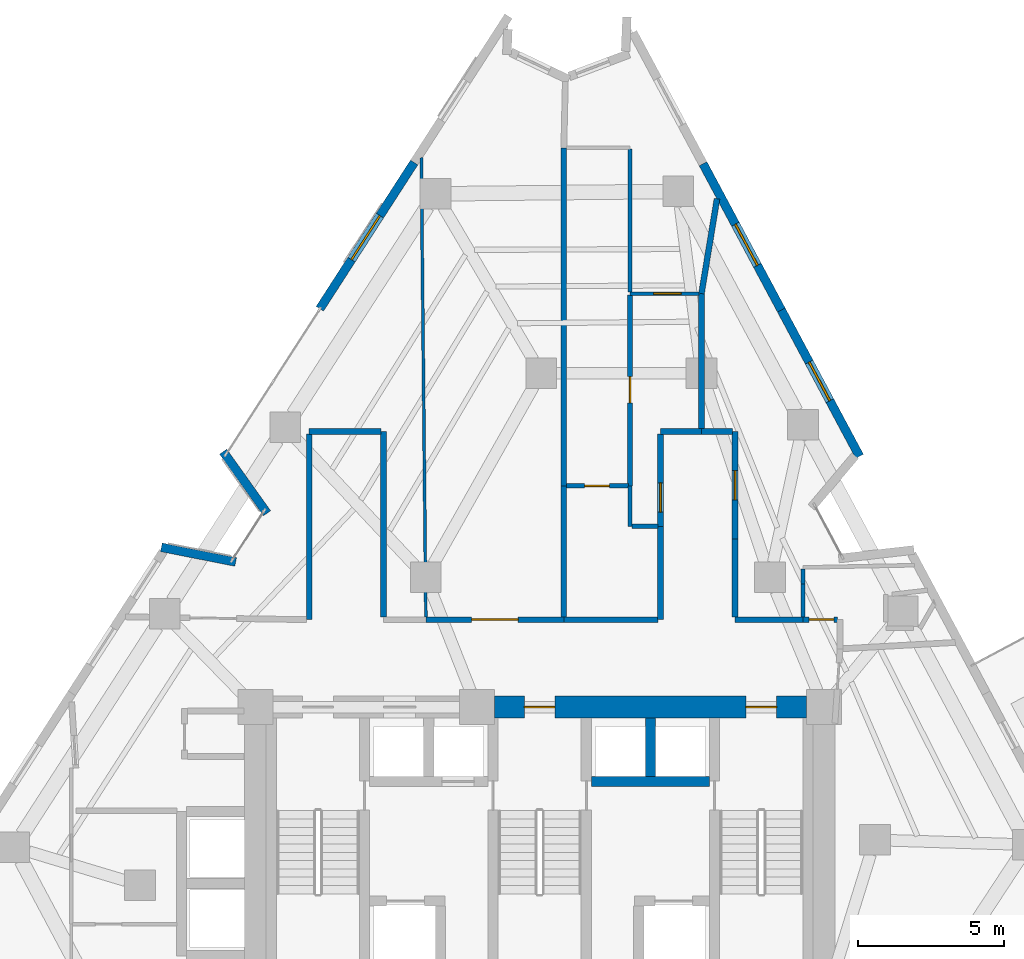
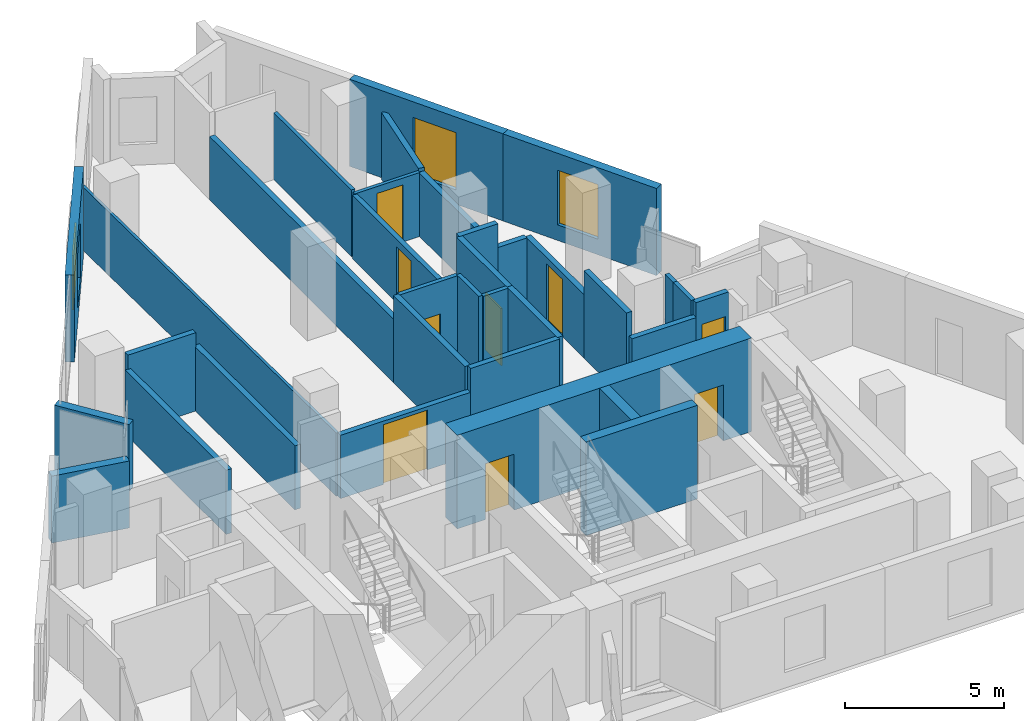
# One storey, part 7 of 12: 34 walls, 9 doors, 3 windows, 12 openings.
"""IFC4 building model written with IfcOpenShell, lengths in metres."""

from ifc_helpers import new_model, si_unit, direction, frame, frame_2d, origin, place, context, subcontext, project, spatial, rectangle, extrude, material, layer, layer_set, type_object, element, fill, save


model = new_model("IFC4")

# Units and contexts
model_context = context("Model", 3, precision=1e-05, world=origin(), true_north=direction((0.0, 1.0)))
body_context = subcontext(model_context, "Body", "Model", "MODEL_VIEW")
ifc_project = project(units=[si_unit("LENGTHUNIT", "METRE"), si_unit("AREAUNIT", "SQUARE_METRE"), si_unit("VOLUMEUNIT", "CUBIC_METRE"), si_unit("PLANEANGLEUNIT", "RADIAN"), si_unit("MASSUNIT", "GRAM", prefix="KILO")], contexts=[model_context])

# Site, building, storey
site_placement = place(None, origin())
site = spatial("IfcSite", under=ifc_project, at=site_placement, CompositionType="ELEMENT")
building_placement = place(site_placement, origin())
building = spatial("IfcBuilding", under=site, at=building_placement, Name="Almagre Mirador Tower", CompositionType="ELEMENT")
storey_placement = place(building_placement, frame((0.0, 0.0, 182.39990234375)))
storey = spatial("IfcBuildingStorey", under=building, at=storey_placement, Name="L47", CompositionType="ELEMENT", Elevation=182.39990234375)

# Walls
ifc_material_1 = material(Name="Precast concrete C50/60", Category="concrete")
ifc_layer_1 = layer(ifc_material_1, 0.300048828125)
ifc_layer_set_1 = layer_set([ifc_layer_1], Name="Precast concrete C50/60")
wall_type_1 = type_object("IfcWallType", Name="WAL-EXT-300", PredefinedType="SOLIDWALL", material=ifc_layer_set_1)
for number, where, z_axis, x_axis, name in (
    (1, (24.33251953125, 20.22998046875, 0.0), (0.0, 0.0, 1.0), (0.981169900288, -0.193146645759, 0.0), "L47 expressed almagre precast frame wall 01"),
    (2, (27.954345703125, 21.39892578125, 0.0), (0.0, 0.0, 1.0), (-0.580472212384, 0.814280056645, 0.0), "L47 expressed almagre precast frame wall 02"),
):
    element("IfcWall", number, at=place(storey_placement, frame(where, z_axis=z_axis, x_axis=x_axis)), inside=storey, type_object=wall_type_1, Name=name, PredefinedType="SOLIDWALL", context=body_context, shape_type="SweptSolid", body=[
        extrude(rectangle(XDim=2.59375, YDim=0.300048828125, at=frame_2d((1.296875, 0.0))), origin(), (0.0, 0.0, 1.0), 2.5751953125),
    ])

# Wall, opening, window
wall_1_placement = place(storey_placement, frame((29.763916015625, 28.410888671875, 0.0), z_axis=(0.0, 0.0, 1.0), x_axis=(0.542030871579, 0.840358574809, 0.0)))
wall_1 = element("IfcWall", 3, at=wall_1_placement, inside=storey, type_object=wall_type_1, Name="L47 expressed almagre precast frame wall 03", PredefinedType="SOLIDWALL", context=body_context, shape_type="SweptSolid", body=[
    extrude(rectangle(XDim=5.966796875, YDim=0.300048828125, at=frame_2d((2.9833984375, 0.0))), origin(), (0.0, 0.0, 1.0), 3.35009765625),
])
opening_1_placement = place(wall_1_placement, frame((2.0, 0.0, 0.60009765625)))
opening_1 = element("IfcOpeningElement", 4, at=opening_1_placement, cuts=wall_1, Name="Opening WN-01", PredefinedType="OPENING", context=body_context, shape_type="SweptSolid", body=[
    extrude(rectangle(XDim=1.800048828125, YDim=2.10009765625, at=frame_2d((0.89990234375, 1.050048828125))), frame((0.0, 0.159902, 0.0), z_axis=(0.0, -1.0, 0.0), x_axis=(1.0, 0.0, 0.0)), (0.0, 0.0, 1.0), 0.320049),
])
ifc_material_2 = material(Name="Dark solar-control laminated hurricane glass", Category="glass")
window_type_1 = type_object("IfcWindowType", Name="WIN-1800X2100", PartitioningType="DOUBLE_PANEL_VERTICAL", PredefinedType="WINDOW", material=ifc_material_2)
window_1_placement = place(opening_1_placement, origin())
window_1 = element("IfcWindow", 5, at=window_1_placement, inside=storey, type_object=window_type_1, Name="L47 recessed hurricane window L47-RST-D", OverallHeight=2.10009765625, OverallWidth=1.800048828125, PartitioningType="SINGLE_PANEL", PredefinedType="WINDOW", context=body_context, shape_type="SweptSolid", body=[
    extrude(rectangle(XDim=1.800048828125, YDim=2.10009765625, at=frame_2d((0.89990234375, 1.050048828125))), frame((0.0, 0.030029296875, 0.0), z_axis=(0.0, -1.0, 0.0), x_axis=(1.0, 0.0, 0.0)), (0.0, 0.0, 1.0), 0.06005859375),
])
fill(opening_1, window_1)

wall_2_placement = place(storey_placement, frame((42.904052734375, 33.381591796875, 0.0), z_axis=(0.0, 0.0, 1.0), x_axis=(0.4716995968, -0.881759315448, 0.0)))
wall_2 = element("IfcWall", 6, at=wall_2_placement, inside=storey, type_object=wall_type_1, Name="L47 expressed almagre precast frame wall 10", PredefinedType="SOLIDWALL", context=body_context, shape_type="SweptSolid", body=[
    extrude(rectangle(XDim=5.687744140625, YDim=0.300048828125, at=frame_2d((2.84375, 0.0))), origin(), (0.0, 0.0, 1.0), 3.35009765625),
])
opening_2_placement = place(wall_2_placement, frame((2.35009765625, 0.0, 0.550048828125)))
opening_2 = element("IfcOpeningElement", 7, at=opening_2_placement, cuts=wall_2, Name="Opening WN-06", PredefinedType="OPENING", context=body_context, shape_type="SweptSolid", body=[
    extrude(rectangle(XDim=1.60009765625, YDim=2.199951171875, at=frame_2d((0.800048828125, 1.10009765625))), frame((0.0, 0.159902, 0.0), z_axis=(0.0, -1.0, 0.0), x_axis=(1.0, 0.0, 0.0)), (0.0, 0.0, 1.0), 0.320049),
])
ifc_material_3 = material(Name="Dark solar-control laminated hurricane glass", Category="glass")
window_type_2 = type_object("IfcWindowType", Name="WIN-1600X2200", PartitioningType="DOUBLE_PANEL_VERTICAL", PredefinedType="WINDOW", material=ifc_material_3)
window_2_placement = place(opening_2_placement, origin())
window_2 = element("IfcWindow", 8, at=window_2_placement, inside=storey, type_object=window_type_2, Name="L47 recessed hurricane window L47-UF-ST", OverallHeight=2.199951171875, OverallWidth=1.60009765625, PartitioningType="SINGLE_PANEL", PredefinedType="WINDOW", context=body_context, shape_type="SweptSolid", body=[
    extrude(rectangle(XDim=1.60009765625, YDim=2.199951171875, at=frame_2d((0.800048828125, 1.10009765625))), frame((0.0, 0.030029296875, 0.0), z_axis=(0.0, -1.0, 0.0), x_axis=(1.0, 0.0, 0.0)), (0.0, 0.0, 1.0), 0.06005859375),
])
fill(opening_2, window_2)

wall_3_placement = place(storey_placement, frame((45.5869140625, 28.366455078125, 0.0), z_axis=(0.0, 0.0, 1.0), x_axis=(0.471750824323, -0.881731909228, 0.0)))
wall_3 = element("IfcWall", 9, at=wall_3_placement, inside=storey, type_object=wall_type_1, Name="L47 expressed almagre precast frame wall 11", PredefinedType="SOLIDWALL", context=body_context, shape_type="SweptSolid", body=[
    extrude(rectangle(XDim=5.6875, YDim=0.300048828125, at=frame_2d((2.84375, 0.0))), origin(), (0.0, 0.0, 1.0), 3.35009765625),
])
opening_3_placement = place(wall_3_placement, frame((2.02490234375, 0.0, 0.60009765625)))
opening_3 = element("IfcOpeningElement", 10, at=opening_3_placement, cuts=wall_3, Name="Opening WN-03", PredefinedType="OPENING", context=body_context, shape_type="SweptSolid", body=[
    extrude(rectangle(XDim=1.5, YDim=2.10009765625, at=frame_2d((0.75, 1.050048828125))), frame((0.0, 0.159902, 0.0), z_axis=(0.0, -1.0, 0.0), x_axis=(1.0, 0.0, 0.0)), (0.0, 0.0, 1.0), 0.320049),
])
ifc_material_4 = material(Name="Dark solar-control laminated hurricane glass", Category="glass")
window_type_3 = type_object("IfcWindowType", Name="WIN-1500X2100", PartitioningType="DOUBLE_PANEL_VERTICAL", PredefinedType="WINDOW", material=ifc_material_4)
window_3_placement = place(opening_3_placement, origin())
window_3 = element("IfcWindow", 11, at=window_3_placement, inside=storey, type_object=window_type_3, Name="L47 recessed hurricane window L47-UF-ST", OverallHeight=2.10009765625, OverallWidth=1.5, PartitioningType="SINGLE_PANEL", PredefinedType="WINDOW", context=body_context, shape_type="SweptSolid", body=[
    extrude(rectangle(XDim=1.5, YDim=2.10009765625, at=frame_2d((0.75, 1.050048828125))), frame((0.0, 0.030029296875, 0.0), z_axis=(0.0, -1.0, 0.0), x_axis=(1.0, 0.0, 0.0)), (0.0, 0.0, 1.0), 0.06005859375),
])
fill(opening_3, window_3)

# Wall
ifc_material_5 = material(Name="Gypsum acoustic stud partition", Category="other")
ifc_layer_2 = layer(ifc_material_5, 0.10009765625)
ifc_layer_set_2 = layer_set([ifc_layer_2], Name="Gypsum acoustic stud partition")
wall_type_2 = type_object("IfcWallType", Name="WAL-PRT-100-CLS", PredefinedType="PARTITIONING", material=ifc_layer_set_2)
wall_4_placement = place(storey_placement, frame((33.3994140625, 17.8349609375, 0.0), z_axis=(0.0, 0.0, 1.0), x_axis=(-0.009933797845, 0.999950658613, 0.0)))
element("IfcWall", 12, at=wall_4_placement, inside=storey, type_object=wall_type_2, Name="L47 interior partition 035", PredefinedType="PARTITIONING", context=body_context, shape_type="SweptSolid", body=[
    extrude(rectangle(XDim=15.753662109375, YDim=0.10009765625, at=frame_2d((7.876953125, 0.0))), origin(), (0.0, 0.0, 1.0), 2.43603515625),
])

# Wall, opening, door
ifc_material_6 = material(Name="Gypsum acoustic stud partition", Category="other")
ifc_layer_3 = layer(ifc_material_6, 0.125)
ifc_layer_set_3 = layer_set([ifc_layer_3], Name="Gypsum acoustic stud partition")
wall_type_3 = type_object("IfcWallType", Name="WAL-PRT-125-UTL", PredefinedType="PARTITIONING", material=ifc_layer_set_3)
wall_5_placement = place(storey_placement, frame((42.764892578125, 28.929931640625, 0.0), z_axis=(0.0, 0.0, 1.0), x_axis=(-1.0, 0.0, 0.0)))
wall_5 = element("IfcWall", 13, at=wall_5_placement, inside=storey, type_object=wall_type_3, Name="L47 interior partition 047", PredefinedType="PARTITIONING", context=body_context, shape_type="SweptSolid", body=[
    extrude(rectangle(XDim=2.364990234375, YDim=0.125, at=frame_2d((1.1826171875, 0.0))), origin(), (0.0, 0.0, 1.0), 2.464111328125),
])
opening_4_placement = place(wall_5_placement, frame((0.609619140625, 0.0, 0.0)))
opening_4 = element("IfcOpeningElement", 14, at=opening_4_placement, cuts=wall_5, Name="Opening UD-01", PredefinedType="OPENING", context=body_context, shape_type="SweptSolid", body=[
    extrude(rectangle(XDim=0.949951171875, YDim=2.199951171875, at=frame_2d((0.47509765625, 1.10009765625))), frame((0.0, 0.0725, 0.0), z_axis=(0.0, -1.0, 0.0), x_axis=(1.0, 0.0, 0.0)), (0.0, 0.0, 1.0), 0.145),
])
ifc_material_7 = material(Name="Solid American walnut timber", Category="wood")
door_type_1 = type_object("IfcDoorType", Name="DOR-UNR-950X2200", OperationType="NOTDEFINED", PredefinedType="DOOR", material=ifc_material_7)
door_1_placement = place(opening_4_placement, origin())
door_1 = element("IfcDoor", 15, at=door_1_placement, inside=storey, type_object=door_type_1, Name="DR-1499 L47 interior door L47-UG-LV to L47-UG-KT", OperationType="SINGLE_SWING_RIGHT", OverallHeight=2.199951171875, OverallWidth=0.949951171875, PredefinedType="DOOR", context=body_context, shape_type="SweptSolid", body=[
    extrude(rectangle(XDim=0.949951171875, YDim=2.199951171875, at=frame_2d((0.47509765625, 1.10009765625))), frame((0.0, 0.02490234375, 0.0), z_axis=(0.0, -1.0, 0.0), x_axis=(1.0, 0.0, 0.0)), (0.0, 0.0, 1.0), 0.050048828125),
])
fill(opening_4, door_1)

# Walls
wall_6_placement = place(storey_placement, frame((40.39990234375, 33.882568359375, 0.0), z_axis=(0.0, 0.0, 1.0), x_axis=(0.0, -1.0, 0.0)))
element("IfcWall", 16, at=wall_6_placement, inside=storey, type_object=wall_type_3, Name="L47 interior partition 051", PredefinedType="PARTITIONING", context=body_context, shape_type="SweptSolid", body=[
    extrude(rectangle(XDim=4.905029296875, YDim=0.125, at=frame_2d((2.45263671875, 0.0))), origin(), (0.0, 0.0, 1.0), 2.570068359375),
])
ifc_material_8 = material(Name="Gypsum acoustic stud partition", Category="other")
ifc_layer_4 = layer(ifc_material_8, 0.14990234375)
ifc_layer_set_4 = layer_set([ifc_layer_4], Name="Gypsum acoustic stud partition")
wall_type_4 = type_object("IfcWallType", Name="WAL-PRT-150-STD", PredefinedType="PARTITIONING", material=ifc_layer_set_4)
wall_7_placement = place(storey_placement, frame((46.330078125, 18.97998046875, 0.0), z_axis=(0.0, 0.0, 1.0), x_axis=(0.0, -1.0, 0.0)))
element("IfcWall", 17, at=wall_7_placement, inside=storey, type_object=wall_type_4, Name="L47 interior partition 044", PredefinedType="PARTITIONING", context=body_context, shape_type="SweptSolid", body=[
    extrude(rectangle(XDim=1.14501953125, YDim=0.14990234375, at=frame_2d((0.572509765625, 0.0))), origin(), (0.0, 0.0, 1.0), 3.010009765625),
])
wall_8_placement = place(storey_placement, frame((40.39990234375, 22.340087890625, 0.0), z_axis=(0.0, 0.0, 1.0), x_axis=(0.0, -1.0, 0.0)))
element("IfcWall", 18, at=wall_8_placement, inside=storey, type_object=wall_type_4, Name="L47 interior partition 045", PredefinedType="PARTITIONING", context=body_context, shape_type="SweptSolid", body=[
    extrude(rectangle(XDim=1.39013671875, YDim=0.14990234375, at=frame_2d((0.695068359375, 0.0))), origin(), (0.0, 0.0, 1.0), 3.35009765625),
])
wall_9_placement = place(storey_placement, frame((40.4599609375, 20.949951171875, 0.0), z_axis=(0.0, 0.0, 1.0), x_axis=(1.0, 0.0, 0.0)))
element("IfcWall", 19, at=wall_9_placement, inside=storey, type_object=wall_type_4, Name="L47 interior partition 046", PredefinedType="PARTITIONING", context=body_context, shape_type="SweptSolid", body=[
    extrude(rectangle(XDim=0.905029296875, YDim=0.14990234375, at=frame_2d((0.45263671875, 0.0))), origin(), (0.0, 0.0, 1.0), 3.35009765625),
])

# Wall, opening, door
wall_10_placement = place(storey_placement, frame((40.340087890625, 22.340087890625, 0.0), z_axis=(0.0, 0.0, 1.0), x_axis=(-1.0, 0.0, 0.0)))
wall_10 = element("IfcWall", 20, at=wall_10_placement, inside=storey, type_object=wall_type_4, Name="L47 interior partition 049", PredefinedType="PARTITIONING", context=body_context, shape_type="SweptSolid", body=[
    extrude(rectangle(XDim=2.125, YDim=0.14990234375, at=frame_2d((1.0625, 0.0))), origin(), (0.0, 0.0, 1.0), 3.35009765625),
])
opening_5_placement = place(wall_10_placement, frame((0.64990234375, 0.0, 0.0)))
opening_5 = element("IfcOpeningElement", 21, at=opening_5_placement, cuts=wall_10, Name="Opening UD-04", PredefinedType="OPENING", context=body_context, shape_type="SweptSolid", body=[
    extrude(rectangle(XDim=0.85009765625, YDim=2.10009765625, at=frame_2d((0.425048828125, 1.050048828125))), frame((0.0, 0.084951, 0.0), z_axis=(0.0, -1.0, 0.0), x_axis=(1.0, 0.0, 0.0)), (0.0, 0.0, 1.0), 0.169902),
])
ifc_material_9 = material(Name="Moisture-resistant oak timber", Category="wood")
door_type_2 = type_object("IfcDoorType", Name="DOR-UNR-850X2100", OperationType="NOTDEFINED", PredefinedType="DOOR", material=ifc_material_9)
door_2_placement = place(opening_5_placement, origin())
door_2 = element("IfcDoor", 22, at=door_2_placement, inside=storey, type_object=door_type_2, Name="DR-1502 L47 interior door L47-UG-HB to L47-UG-MB", OperationType="SINGLE_SWING_RIGHT", OverallHeight=2.10009765625, OverallWidth=0.85009765625, PredefinedType="DOOR", context=body_context, shape_type="SweptSolid", body=[
    extrude(rectangle(XDim=0.85009765625, YDim=2.10009765625, at=frame_2d((0.425048828125, 1.050048828125))), frame((0.0, 0.02490234375, 0.0), z_axis=(0.0, -1.0, 0.0), x_axis=(1.0, 0.0, 0.0)), (0.0, 0.0, 1.0), 0.050048828125),
])
fill(opening_5, door_2)

# Wall
wall_11_placement = place(storey_placement, frame((46.330078125, 19.492431640625, 0.0), z_axis=(0.0, 0.0, 1.0), x_axis=(0.0, -1.0, 0.0)))
element("IfcWall", 23, at=wall_11_placement, inside=storey, type_object=wall_type_4, Name="L47 interior partition 059", PredefinedType="PARTITIONING", context=body_context, shape_type="SweptSolid", body=[
    extrude(rectangle(XDim=0.512451171875, YDim=0.14990234375, at=frame_2d((0.25634765625, 0.0))), origin(), (0.0, 0.0, 1.0), 3.010009765625),
])

# Wall, opening, door
ifc_material_10 = material(Name="Gypsum acoustic stud partition", Category="other")
ifc_layer_5 = layer(ifc_material_10, 0.175048828125)
ifc_layer_set_5 = layer_set([ifc_layer_5], Name="Gypsum acoustic stud partition")
wall_type_5 = type_object("IfcWallType", Name="WAL-PRT-175-AC", PredefinedType="PARTITIONING", material=ifc_layer_set_5)
wall_12_placement = place(storey_placement, frame((40.39990234375, 28.882568359375, 0.0), z_axis=(0.0, 0.0, 1.0), x_axis=(0.0, -1.0, 0.0)))
wall_12 = element("IfcWall", 24, at=wall_12_placement, inside=storey, type_object=wall_type_5, Name="L47 interior partition 048", PredefinedType="PARTITIONING", context=body_context, shape_type="SweptSolid", body=[
    extrude(rectangle(XDim=6.54248046875, YDim=0.175048828125, at=frame_2d((3.271240234375, 0.0))), origin(), (0.0, 0.0, 1.0), 2.43603515625),
])
opening_6_placement = place(wall_12_placement, frame((2.797607421875, 0.0, 0.0)))
opening_6 = element("IfcOpeningElement", 25, at=opening_6_placement, cuts=wall_12, Name="Opening UD-02", PredefinedType="OPENING", context=body_context, shape_type="SweptSolid", body=[
    extrude(rectangle(XDim=0.89990234375, YDim=2.14990234375, at=frame_2d((0.449951171875, 1.074951171875))), frame((0.0, 0.097402, 0.0), z_axis=(0.0, -1.0, 0.0), x_axis=(1.0, 0.0, 0.0)), (0.0, 0.0, 1.0), 0.195049),
])
ifc_material_11 = material(Name="Solid American walnut timber", Category="wood")
door_type_3 = type_object("IfcDoorType", Name="DOR-UNR-900X2150", OperationType="NOTDEFINED", PredefinedType="DOOR", material=ifc_material_11)
door_3_placement = place(opening_6_placement, origin())
door_3 = element("IfcDoor", 26, at=door_3_placement, inside=storey, type_object=door_type_3, Name="DR-1500 L47 interior door L47-UG-LV to L47-UG-MB", OperationType="SINGLE_SWING_LEFT", OverallHeight=2.14990234375, OverallWidth=0.89990234375, PredefinedType="DOOR", context=body_context, shape_type="SweptSolid", body=[
    extrude(rectangle(XDim=0.89990234375, YDim=2.14990234375, at=frame_2d((0.449951171875, 1.074951171875))), frame((0.0, 0.02490234375, 0.0), z_axis=(0.0, -1.0, 0.0), x_axis=(1.0, 0.0, 0.0)), (0.0, 0.0, 1.0), 0.050048828125),
])
fill(opening_6, door_3)

# Walls
ifc_material_12 = material(Name="Gypsum acoustic stud partition", Category="other")
ifc_layer_6 = layer(ifc_material_12, 0.199951171875)
ifc_layer_set_6 = layer_set([ifc_layer_6], Name="Gypsum acoustic stud partition")
wall_type_6 = type_object("IfcWallType", Name="WAL-PRT-200-EI60", PredefinedType="PARTITIONING", material=ifc_layer_set_6)
wall_13_placement = place(storey_placement, frame((31.949951171875, 17.8349609375, 0.0), z_axis=(0.0, 0.0, 1.0), x_axis=(0.0, 1.0, 0.0)))
element("IfcWall", 27, at=wall_13_placement, inside=storey, type_object=wall_type_6, Name="L47 interior partition 006", PredefinedType="PARTITIONING", context=body_context, shape_type="SweptSolid", body=[
    extrude(rectangle(XDim=6.364990234375, YDim=0.199951171875, at=frame_2d((3.1826171875, 0.0))), origin(), (0.0, 0.0, 1.0), 2.464111328125),
])
wall_14_placement = place(storey_placement, frame((31.864990234375, 24.199951171875, 0.0), z_axis=(0.0, 0.0, 1.0), x_axis=(-1.0, 0.0, 0.0)))
element("IfcWall", 28, at=wall_14_placement, inside=storey, type_object=wall_type_6, Name="L47 interior partition 007", PredefinedType="PARTITIONING", context=body_context, shape_type="SweptSolid", body=[
    extrude(rectangle(XDim=2.465087890625, YDim=0.199951171875, at=frame_2d((1.232421875, 0.0))), origin(), (0.0, 0.0, 1.0), 3.010009765625),
])
wall_15_placement = place(storey_placement, frame((29.39990234375, 24.114990234375, 0.0), z_axis=(0.0, 0.0, 1.0), x_axis=(0.0, -1.0, 0.0)))
element("IfcWall", 29, at=wall_15_placement, inside=storey, type_object=wall_type_6, Name="L47 interior partition 008", PredefinedType="PARTITIONING", context=body_context, shape_type="SweptSolid", body=[
    extrude(rectangle(XDim=6.364990234375, YDim=0.199951171875, at=frame_2d((3.1826171875, 0.0))), origin(), (0.0, 0.0, 1.0), 2.464111328125),
])

# Wall, opening, door
wall_16_placement = place(storey_placement, frame((38.1298828125, 17.75, 0.0), z_axis=(0.0, 0.0, 1.0), x_axis=(-1.0, 0.0, 0.0)))
wall_16 = element("IfcWall", 30, at=wall_16_placement, inside=storey, type_object=wall_type_6, Name="L47 interior partition 010", PredefinedType="PARTITIONING", context=body_context, shape_type="SweptSolid", body=[
    extrude(rectangle(XDim=4.72998046875, YDim=0.199951171875, at=frame_2d((2.364990234375, 0.0))), origin(), (0.0, 0.0, 1.0), 2.43603515625),
])
opening_7_placement = place(wall_16_placement, frame((1.56494140625, 0.0, 0.0)))
opening_7 = element("IfcOpeningElement", 31, at=opening_7_placement, cuts=wall_16, Name="Opening ID-05", PredefinedType="OPENING", context=body_context, shape_type="SweptSolid", body=[
    extrude(rectangle(XDim=1.60009765625, YDim=2.300048828125, at=frame_2d((0.800048828125, 1.14990234375))), frame((0.0, 0.110098, 0.0), z_axis=(0.0, -1.0, 0.0), x_axis=(1.0, 0.0, 0.0)), (0.0, 0.0, 1.0), 0.219951),
])
ifc_material_13 = material(Name="Fire-rated acoustic timber", Category="wood")
door_type_4 = type_object("IfcDoorType", Name="DOR-FD60-1600X2300", OperationType="DOUBLE_DOOR_SINGLE_SWING", PredefinedType="DOOR", material=ifc_material_13)
door_4_placement = place(opening_7_placement, origin())
door_4 = element("IfcDoor", 32, at=door_4_placement, inside=storey, type_object=door_type_4, Name="DR-1492 L47 interior door L47-RCOR to L47-RST-E", OperationType="DOUBLE_DOOR_SINGLE_SWING", OverallHeight=2.300048828125, OverallWidth=1.60009765625, PredefinedType="DOOR", context=body_context, shape_type="SweptSolid", body=[
    extrude(rectangle(XDim=1.60009765625, YDim=2.300048828125, at=frame_2d((0.800048828125, 1.14990234375))), frame((0.0, 0.02490234375, 0.0), z_axis=(0.0, -1.0, 0.0), x_axis=(1.0, 0.0, 0.0)), (0.0, 0.0, 1.0), 0.050048828125),
])
fill(opening_7, door_4)

wall_17_placement = place(storey_placement, frame((44.0, 20.52001953125, 0.0), z_axis=(0.0, 0.0, 1.0), x_axis=(0.0, 1.0, 0.0)))
wall_17 = element("IfcWall", 33, at=wall_17_placement, inside=storey, type_object=wall_type_6, Name="L47 interior partition 011", PredefinedType="PARTITIONING", context=body_context, shape_type="SweptSolid", body=[
    extrude(rectangle(XDim=3.679931640625, YDim=0.199951171875, at=frame_2d((1.83984375, 0.0))), origin(), (0.0, 0.0, 1.0), 2.43603515625),
])
opening_8_placement = place(wall_17_placement, frame((1.340087890625, 0.0, 0.0)))
opening_8 = element("IfcOpeningElement", 34, at=opening_8_placement, cuts=wall_17, Name="Opening ID-01", PredefinedType="OPENING", context=body_context, shape_type="SweptSolid", body=[
    extrude(rectangle(XDim=1.0, YDim=2.199951171875, at=frame_2d((0.5, 1.10009765625))), frame((0.0, 0.110098, 0.0), z_axis=(0.0, -1.0, 0.0), x_axis=(1.0, 0.0, 0.0)), (0.0, 0.0, 1.0), 0.219951),
])
ifc_material_14 = material(Name="Fire-rated walnut timber", Category="wood")
door_type_5 = type_object("IfcDoorType", Name="DOR-FD60-1000X2200", OperationType="NOTDEFINED", PredefinedType="DOOR", material=ifc_material_14)
door_5_placement = place(opening_8_placement, origin())
door_5 = element("IfcDoor", 35, at=door_5_placement, inside=storey, type_object=door_type_5, Name="DR-1497 L47 interior door L47-RCOR to L47-UF-ST", OperationType="SINGLE_SWING_LEFT", OverallHeight=2.199951171875, OverallWidth=1.0, PredefinedType="DOOR", context=body_context, shape_type="SweptSolid", body=[
    extrude(rectangle(XDim=1.0, YDim=2.199951171875, at=frame_2d((0.5, 1.10009765625))), frame((0.0, 0.02490234375, 0.0), z_axis=(0.0, -1.0, 0.0), x_axis=(1.0, 0.0, 0.0)), (0.0, 0.0, 1.0), 0.050048828125),
])
fill(opening_8, door_5)

# Wall
wall_18_placement = place(storey_placement, frame((43.9150390625, 24.199951171875, 0.0), z_axis=(0.0, 0.0, 1.0), x_axis=(-1.0, 0.0, 0.0)))
element("IfcWall", 36, at=wall_18_placement, inside=storey, type_object=wall_type_6, Name="L47 interior partition 012", PredefinedType="PARTITIONING", context=body_context, shape_type="SweptSolid", body=[
    extrude(rectangle(XDim=1.06494140625, YDim=0.199951171875, at=frame_2d((0.532470703125, 0.0))), origin(), (0.0, 0.0, 1.0), 2.43603515625),
])

# Wall, opening, door
wall_19_placement = place(storey_placement, frame((47.514892578125, 17.75, 0.0), z_axis=(0.0, 0.0, 1.0), x_axis=(-1.0, 0.0, 0.0)))
wall_19 = element("IfcWall", 37, at=wall_19_placement, inside=storey, type_object=wall_type_6, Name="L47 interior partition 014", PredefinedType="PARTITIONING", context=body_context, shape_type="SweptSolid", body=[
    extrude(rectangle(XDim=1.184814453125, YDim=0.199951171875, at=frame_2d((0.59228515625, 0.0))), origin(), (0.0, 0.0, 1.0), 3.010009765625),
])
opening_9_placement = place(wall_19_placement, frame((0.125, 0.0, 0.0)))
opening_9 = element("IfcOpeningElement", 38, at=opening_9_placement, cuts=wall_19, Name="Opening ID-06", PredefinedType="OPENING", context=body_context, shape_type="SweptSolid", body=[
    extrude(rectangle(XDim=0.85009765625, YDim=2.10009765625, at=frame_2d((0.425048828125, 1.050048828125))), frame((0.0, 0.110098, 0.0), z_axis=(0.0, -1.0, 0.0), x_axis=(1.0, 0.0, 0.0)), (0.0, 0.0, 1.0), 0.219951),
])
ifc_material_15 = material(Name="Fire-rated hollow steel", Category="steel")
door_type_6 = type_object("IfcDoorType", Name="DOR-FD60-850X2100", OperationType="NOTDEFINED", PredefinedType="DOOR", material=ifc_material_15)
door_6_placement = place(opening_9_placement, origin())
door_6 = element("IfcDoor", 39, at=door_6_placement, inside=storey, type_object=door_type_6, Name="DR-1501 L47 interior door L47-RCOR to L47-UF-KT", OperationType="SINGLE_SWING_LEFT", OverallHeight=2.10009765625, OverallWidth=0.85009765625, PredefinedType="DOOR", context=body_context, shape_type="SweptSolid", body=[
    extrude(rectangle(XDim=0.85009765625, YDim=2.10009765625, at=frame_2d((0.425048828125, 1.050048828125))), frame((0.0, 0.02490234375, 0.0), z_axis=(0.0, -1.0, 0.0), x_axis=(1.0, 0.0, 0.0)), (0.0, 0.0, 1.0), 0.050048828125),
])
fill(opening_9, door_6)

# Walls
wall_20_placement = place(storey_placement, frame((46.330078125, 17.75, 0.0), z_axis=(0.0, 0.0, 1.0), x_axis=(-1.0, 0.0, 0.0)))
element("IfcWall", 40, at=wall_20_placement, inside=storey, type_object=wall_type_6, Name="L47 interior partition 015", PredefinedType="PARTITIONING", context=body_context, shape_type="SweptSolid", body=[
    extrude(rectangle(XDim=2.330078125, YDim=0.199951171875, at=frame_2d((1.1650390625, 0.0))), origin(), (0.0, 0.0, 1.0), 2.43603515625),
])
wall_21_placement = place(storey_placement, frame((42.85009765625, 24.199951171875, 0.0), z_axis=(0.0, 0.0, 1.0), x_axis=(-1.0, 0.0, 0.0)))
element("IfcWall", 41, at=wall_21_placement, inside=storey, type_object=wall_type_6, Name="L47 interior partition 017", PredefinedType="PARTITIONING", context=body_context, shape_type="SweptSolid", body=[
    extrude(rectangle(XDim=1.400146484375, YDim=0.199951171875, at=frame_2d((0.7001953125, 0.0))), origin(), (0.0, 0.0, 1.0), 3.35009765625),
])

# Wall, opening, door
wall_22_placement = place(storey_placement, frame((41.449951171875, 24.114990234375, 0.0), z_axis=(0.0, 0.0, 1.0), x_axis=(0.0, -1.0, 0.0)))
wall_22 = element("IfcWall", 42, at=wall_22_placement, inside=storey, type_object=wall_type_6, Name="L47 interior partition 018", PredefinedType="PARTITIONING", context=body_context, shape_type="SweptSolid", body=[
    extrude(rectangle(XDim=3.1650390625, YDim=0.199951171875, at=frame_2d((1.58251953125, 0.0))), origin(), (0.0, 0.0, 1.0), 3.35009765625),
])
opening_10_placement = place(wall_22_placement, frame((1.677490234375, 0.0, 0.0)))
opening_10 = element("IfcOpeningElement", 43, at=opening_10_placement, cuts=wall_22, Name="Opening ID-01", PredefinedType="OPENING", context=body_context, shape_type="SweptSolid", body=[
    extrude(rectangle(XDim=1.0, YDim=2.199951171875, at=frame_2d((0.5, 1.10009765625))), frame((0.0, 0.110098, 0.0), z_axis=(0.0, -1.0, 0.0), x_axis=(1.0, 0.0, 0.0)), (0.0, 0.0, 1.0), 0.219951),
])
door_7_placement = place(opening_10_placement, origin())
door_7 = element("IfcDoor", 44, at=door_7_placement, inside=storey, type_object=door_type_5, Name="DR-1498 L47 interior door L47-RCOR to L47-UG-LV", OperationType="SINGLE_SWING_LEFT", OverallHeight=2.199951171875, OverallWidth=1.0, PredefinedType="DOOR", context=body_context, shape_type="SweptSolid", body=[
    extrude(rectangle(XDim=1.0, YDim=2.199951171875, at=frame_2d((0.5, 1.10009765625))), frame((0.0, 0.02490234375, 0.0), z_axis=(0.0, -1.0, 0.0), x_axis=(1.0, 0.0, 0.0)), (0.0, 0.0, 1.0), 0.050048828125),
])
fill(opening_10, door_7)

# Walls
wall_23_placement = place(storey_placement, frame((41.449951171875, 20.949951171875, 0.0), z_axis=(0.0, 0.0, 1.0), x_axis=(0.0, -1.0, 0.0)))
element("IfcWall", 45, at=wall_23_placement, inside=storey, type_object=wall_type_6, Name="L47 interior partition 019", PredefinedType="PARTITIONING", context=body_context, shape_type="SweptSolid", body=[
    extrude(rectangle(XDim=3.199951171875, YDim=0.199951171875, at=frame_2d((1.60009765625, 0.0))), origin(), (0.0, 0.0, 1.0), 3.35009765625),
])
wall_24_placement = place(storey_placement, frame((41.364990234375, 17.75, 0.0), z_axis=(0.0, 0.0, 1.0), x_axis=(-1.0, 0.0, 0.0)))
element("IfcWall", 46, at=wall_24_placement, inside=storey, type_object=wall_type_6, Name="L47 interior partition 020", PredefinedType="PARTITIONING", context=body_context, shape_type="SweptSolid", body=[
    extrude(rectangle(XDim=3.235107421875, YDim=0.199951171875, at=frame_2d((1.61767578125, 0.0))), origin(), (0.0, 0.0, 1.0), 3.35009765625),
])
wall_25_placement = place(storey_placement, frame((38.1298828125, 17.8349609375, 0.0), z_axis=(0.0, 0.0, 1.0), x_axis=(0.0, 1.0, 0.0)))
element("IfcWall", 47, at=wall_25_placement, inside=storey, type_object=wall_type_6, Name="L47 interior partition 036", PredefinedType="PARTITIONING", context=body_context, shape_type="SweptSolid", body=[
    extrude(rectangle(XDim=4.505126953125, YDim=0.199951171875, at=frame_2d((2.25244140625, 0.0))), origin(), (0.0, 0.0, 1.0), 3.35009765625),
])
wall_26_placement = place(storey_placement, frame((38.1298828125, 22.340087890625, 0.0), z_axis=(0.0, 0.0, 1.0), x_axis=(0.0, 1.0, 0.0)))
element("IfcWall", 48, at=wall_26_placement, inside=storey, type_object=wall_type_6, Name="L47 interior partition 038", PredefinedType="PARTITIONING", context=body_context, shape_type="SweptSolid", body=[
    extrude(rectangle(XDim=11.58984375, YDim=0.199951171875, at=frame_2d((5.794921875, 0.0))), origin(), (0.0, 0.0, 1.0), 2.43603515625),
])
wall_27_placement = place(storey_placement, frame((42.85009765625, 28.929931640625, 0.0), z_axis=(0.0, 0.0, 1.0), x_axis=(0.0, -1.0, 0.0)))
element("IfcWall", 49, at=wall_27_placement, inside=storey, type_object=wall_type_6, Name="L47 interior partition 042", PredefinedType="PARTITIONING", context=body_context, shape_type="SweptSolid", body=[
    extrude(rectangle(XDim=4.64501953125, YDim=0.199951171875, at=frame_2d((2.322509765625, 0.0))), origin(), (0.0, 0.0, 1.0), 2.43603515625),
])
wall_28_placement = place(storey_placement, frame((43.382080078125, 32.180908203125, 0.0), z_axis=(0.0, 0.0, 1.0), x_axis=(-0.161489880459, -0.986874368149, 0.0)))
element("IfcWall", 50, at=wall_28_placement, inside=storey, type_object=wall_type_6, Name="L47 interior partition 043", PredefinedType="PARTITIONING", context=body_context, shape_type="SweptSolid", body=[
    extrude(rectangle(XDim=3.294189453125, YDim=0.199951171875, at=frame_2d((1.64697265625, 0.0))), origin(), (0.0, 0.0, 1.0), 2.570068359375),
])
wall_29_placement = place(storey_placement, frame((44.0, 17.8349609375, 0.0), z_axis=(0.0, 0.0, 1.0), x_axis=(0.0, 1.0, 0.0)))
element("IfcWall", 51, at=wall_29_placement, inside=storey, type_object=wall_type_6, Name="L47 interior partition 052", PredefinedType="PARTITIONING", context=body_context, shape_type="SweptSolid", body=[
    extrude(rectangle(XDim=2.68505859375, YDim=0.199951171875, at=frame_2d((1.342529296875, 0.0))), origin(), (0.0, 0.0, 1.0), 3.35009765625),
])
ifc_material_16 = material(Name="Concrete C60/75", Category="concrete")
ifc_layer_7 = layer(ifc_material_16, 0.35009765625)
ifc_layer_set_7 = layer_set([ifc_layer_7], Name="Concrete C60/75")
wall_type_7 = type_object("IfcWallType", Name="WAL-SHF-350", PredefinedType="SOLIDWALL", material=ifc_layer_set_7)
wall_30_placement = place(storey_placement, frame((39.074951171875, 12.199951171875, 0.0), z_axis=(0.0, 0.0, 1.0), x_axis=(1.0, 0.0, 0.0)))
element("IfcWall", 52, at=wall_30_placement, inside=storey, type_object=wall_type_7, Name="L47 shaft wall PLH-S", PredefinedType="SOLIDWALL", context=body_context, shape_type="SweptSolid", body=[
    extrude(rectangle(XDim=4.050048828125, YDim=0.35009765625, at=frame_2d((2.02490234375, 0.0))), origin(), (0.0, 0.0, 1.0), 3.60009765625),
])
wall_31_placement = place(storey_placement, frame((41.10009765625, 12.375, 0.0), z_axis=(0.0, 0.0, 1.0), x_axis=(0.0, 1.0, 0.0)))
element("IfcWall", 53, at=wall_31_placement, inside=storey, type_object=wall_type_7, Name="L47 shaft wall PLH-M", PredefinedType="SOLIDWALL", context=body_context, shape_type="SweptSolid", body=[
    extrude(rectangle(XDim=2.0, YDim=0.35009765625, at=frame_2d((1.0, 0.0))), origin(), (0.0, 0.0, 1.0), 3.60009765625),
])

# Wall, openings, doors
ifc_material_17 = material(Name="Concrete C60/75", Category="concrete")
ifc_layer_8 = layer(ifc_material_17, 0.75)
ifc_layer_set_8 = layer_set([ifc_layer_8], Name="Concrete C60/75")
wall_type_8 = type_object("IfcWallType", Name="WAL-SHR-750", PredefinedType="SHEAR", material=ifc_layer_set_8)
wall_32_placement = place(storey_placement, frame((35.75, 14.75, 0.0), z_axis=(0.0, 0.0, 1.0), x_axis=(1.0, 0.0, 0.0)))
wall_32 = element("IfcWall", 54, at=wall_32_placement, inside=storey, type_object=wall_type_8, Name="L47 core shear wall N2", PredefinedType="SHEAR", context=body_context, shape_type="SweptSolid", body=[
    extrude(rectangle(XDim=10.699951171875, YDim=0.75, at=frame_2d((5.35009765625, 0.0))), origin(), (0.0, 0.0, 1.0), 3.60009765625),
])
opening_11_placement = place(wall_32_placement, frame((1.02490234375, 0.0, 0.0)))
opening_11 = element("IfcOpeningElement", 55, at=opening_11_placement, cuts=wall_32, Name="Opening SD-01", PredefinedType="OPENING", context=body_context, shape_type="SweptSolid", body=[
    extrude(rectangle(XDim=1.050048828125, YDim=2.14990234375, at=frame_2d((0.52490234375, 1.074951171875))), frame((0.0, 0.385, 0.0), z_axis=(0.0, -1.0, 0.0), x_axis=(1.0, 0.0, 0.0)), (0.0, 0.0, 1.0), 0.77),
])
opening_12_placement = place(wall_32_placement, frame((8.625, 0.0, 0.0)))
opening_12 = element("IfcOpeningElement", 56, at=opening_12_placement, cuts=wall_32, Name="Opening SD-01", PredefinedType="OPENING", context=body_context, shape_type="SweptSolid", body=[
    extrude(rectangle(XDim=1.050048828125, YDim=2.14990234375, at=frame_2d((0.52490234375, 1.074951171875))), frame((0.0, 0.385, 0.0), z_axis=(0.0, -1.0, 0.0), x_axis=(1.0, 0.0, 0.0)), (0.0, 0.0, 1.0), 0.77),
])
ifc_material_18 = material(Name="Fire-rated hollow steel", Category="steel")
door_type_7 = type_object("IfcDoorType", Name="DOR-ST-1050X2150", OperationType="NOTDEFINED", PredefinedType="DOOR", material=ifc_material_18)
door_8_placement = place(opening_11_placement, origin())
door_8 = element("IfcDoor", 57, at=door_8_placement, inside=storey, type_object=door_type_7, Name="DR-1508 L47 protected exit stair ST-2 door", OperationType="SINGLE_SWING_RIGHT", OverallHeight=2.14990234375, OverallWidth=1.050048828125, PredefinedType="DOOR", context=body_context, shape_type="SweptSolid", body=[
    extrude(rectangle(XDim=1.050048828125, YDim=2.14990234375, at=frame_2d((0.52490234375, 1.074951171875))), frame((0.0, 0.02490234375, 0.0), z_axis=(0.0, -1.0, 0.0), x_axis=(1.0, 0.0, 0.0)), (0.0, 0.0, 1.0), 0.050048828125),
])
fill(opening_11, door_8)
door_9_placement = place(opening_12_placement, origin())
door_9 = element("IfcDoor", 58, at=door_9_placement, inside=storey, type_object=door_type_7, Name="DR-1509 L47 protected exit stair ST-3 door", OperationType="SINGLE_SWING_LEFT", OverallHeight=2.14990234375, OverallWidth=1.050048828125, PredefinedType="DOOR", context=body_context, shape_type="SweptSolid", body=[
    extrude(rectangle(XDim=1.050048828125, YDim=2.14990234375, at=frame_2d((0.52490234375, 1.074951171875))), frame((0.0, 0.02490234375, 0.0), z_axis=(0.0, -1.0, 0.0), x_axis=(1.0, 0.0, 0.0)), (0.0, 0.0, 1.0), 0.050048828125),
])
fill(opening_12, door_9)

save(model, "model.ifc")
